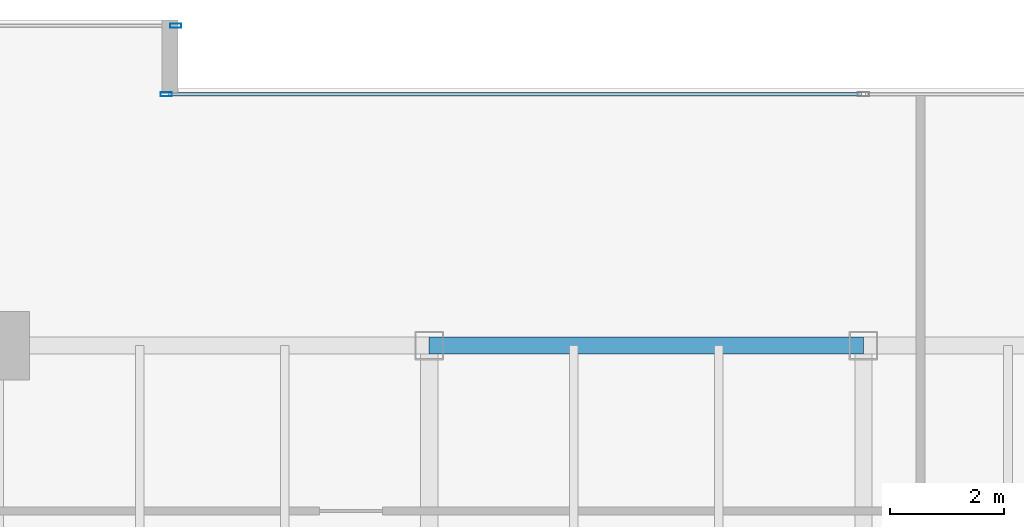
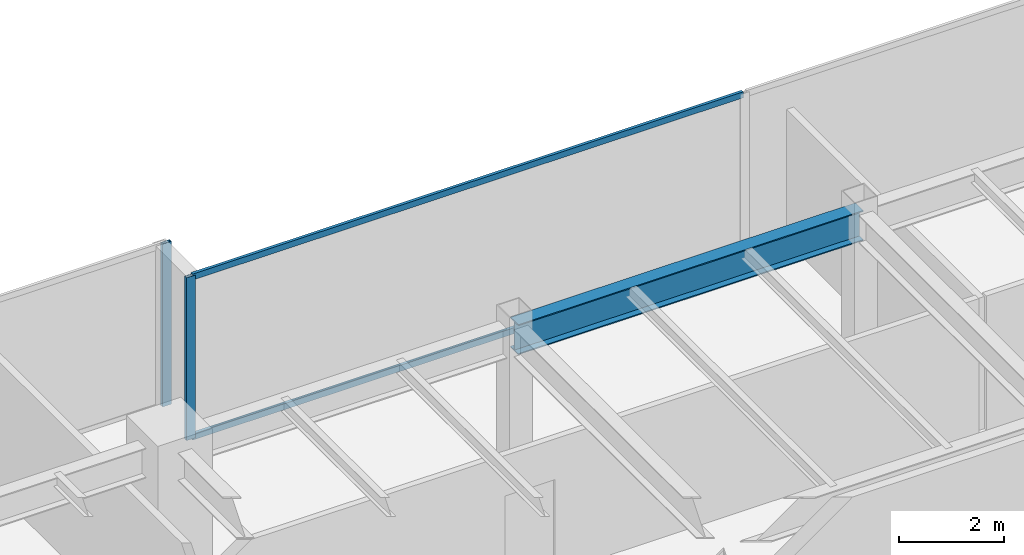
# One storey, part 16 of 30: 4 members, 1 beam, 2 elements without a shape of their own.
"""IFC4 building model written with IfcOpenShell, lengths in metres."""

from ifc_helpers import new_model, si_unit, direction, frame, origin, origin_2d, place, context, subcontext, project, spatial, hollow_rectangle, i_section, extrude, source, transform, mapped, material, layer, layer_set, material_profile, profile_set, type_object, type_shapes, element, aggregate, save


model = new_model("IFC4")

# Units and contexts
model_context = context("Model", 3, precision=1e-05, world=origin(), true_north=direction((0.0, 1.0)))
body_context = subcontext(model_context, "Body", "Model", "MODEL_VIEW")
ifc_project = project(units=[si_unit("LENGTHUNIT", "METRE"), si_unit("AREAUNIT", "SQUARE_METRE"), si_unit("VOLUMEUNIT", "CUBIC_METRE"), si_unit("PLANEANGLEUNIT", "RADIAN"), si_unit("MASSUNIT", "GRAM", prefix="KILO")], contexts=[model_context])

# Site, building, storey
site_placement = place(None, origin())
site = spatial("IfcSite", under=ifc_project, at=site_placement, CompositionType="ELEMENT")
building_placement = place(site_placement, origin())
building = spatial("IfcBuilding", under=site, at=building_placement, Name="Haelvirn Gate Laboratories", CompositionType="ELEMENT")
storey_placement = place(building_placement, frame((0.0, 0.0, 105.10009765625)))
storey = spatial("IfcBuildingStorey", under=building, at=storey_placement, Name="L25", CompositionType="ELEMENT", Elevation=105.10009765625)

# Beam
ifc_material_1 = material(Name="Steel SM355", Category="steel")
ifc_material_profile_1 = material_profile(ifc_material_1, i_section(OverallWidth=0.300048828125, OverallDepth=0.699951171875, WebThickness=0.012939453125, FlangeThickness=0.02392578125, at=origin_2d()), Name="H-700x300x13x24")
ifc_profile_set_1 = profile_set([ifc_material_profile_1], Name="Steel SM355")
beam_type = type_object("IfcBeamType", Name="BM-G-700", PredefinedType="BEAM", material=ifc_profile_set_1)
shared_shape_1 = source(origin(), body_context, "Body", "SweptSolid", [
    extrude(i_section(OverallWidth=0.300048828125, OverallDepth=0.699951171875, WebThickness=0.012939453125, FlangeThickness=0.02392578125, at=origin_2d()), origin(), (0.0, 0.0, 1.0), 7.599853515625),
])
type_shapes(beam_type, [shared_shape_1])
beam_placement = place(storey_placement, frame((29.800048828125, 41.60009765625, 3.43994140625), z_axis=(1.0, 0.0, 0.0), x_axis=(0.0, 1.0, 0.0)))
element("IfcBeam", 1, at=beam_placement, inside=storey, type_object=beam_type, Name="L25 Primary Girder Y41.6 (29.8-37.4)", PredefinedType="BEAM", context=body_context, shape_type="MappedRepresentation", body=[
    mapped(shared_shape_1, transform((0.0, 0.0, 0.0), scale=1.0)),
])

# Curtain wall, members
ifc_material_2 = material(Name="Anodised bronze unitised aluminium & triple low-E glass", Category="aluminium")
ifc_layer = layer(ifc_material_2, 0.179931640625, Name="CW-SYS-3")
ifc_layer_set = layer_set([ifc_layer], Name="Anodised bronze unitised aluminium & triple low-E glass")
curtain_wall_type = type_object("IfcCurtainWallType", Name="CW-SYS-3", PredefinedType="NOTDEFINED", material=ifc_layer_set)
curtain_wall_1_placement = place(storey_placement, origin())
curtain_wall_1 = element("IfcCurtainWall", 2, at=curtain_wall_1_placement, inside=storey, type_object=curtain_wall_type, Name="L25 Unitised Curtain Wall CW-L25-P0-E12-1", PredefinedType="NOTDEFINED")
ifc_material_3 = material(Name="Extruded aluminium 6063-T6 (anodised bronze)", Category="aluminium")
ifc_material_profile_2 = material_profile(ifc_material_3, hollow_rectangle(XDim=0.06494140625, YDim=0.139892578125, WallThickness=0.00390625, at=origin_2d()), Name="CWT-140x65x4")
ifc_profile_set_2 = profile_set([ifc_material_profile_2], Name="Extruded aluminium 6063-T6 (anodised bronze)")
member_type_1 = type_object("IfcMemberType", Name="CWT-T140", PredefinedType="USERDEFINED", material=ifc_profile_set_2)
shared_shape_2 = source(origin(), body_context, "Body", "SweptSolid", [
    extrude(hollow_rectangle(XDim=0.06494140625, YDim=0.139892578125, WallThickness=0.00390625, at=origin_2d()), origin(), (0.0, 0.0, 1.0), 12.12744140625),
])
type_shapes(member_type_1, [shared_shape_2])
member_1_placement = place(storey_placement, frame((25.235107421875, 46.0, 0.032470703125), z_axis=(1.0, 0.0, 0.0), x_axis=(0.0, 1.0, 0.0)))
member_1 = element("IfcMember", 3, at=member_1_placement, type_object=member_type_1, Name="CW3 transom 1.1", ObjectType="TRANSOM", PredefinedType="USERDEFINED", context=body_context, shape_type="MappedRepresentation", body=[
    mapped(shared_shape_2, transform((0.0, 0.0, 0.0), scale=1.0)),
])
member_2_placement = place(storey_placement, frame((25.235107421875, 46.0, 3.75732421875), z_axis=(1.0, 0.0, 0.0), x_axis=(0.0, 1.0, 0.0)))
member_2 = element("IfcMember", 4, at=member_2_placement, type_object=member_type_1, Name="CW3 transom 1.2", ObjectType="TRANSOM", PredefinedType="USERDEFINED", context=body_context, shape_type="MappedRepresentation", body=[
    mapped(shared_shape_2, transform((0.0, 0.0, 0.0), scale=1.0)),
])
ifc_material_profile_3 = material_profile(ifc_material_3, hollow_rectangle(XDim=0.074951171875, YDim=0.199951171875, WallThickness=0.0048828125, at=origin_2d()), Name="CWM-200x75x5")
ifc_profile_set_3 = profile_set([ifc_material_profile_3], Name="Extruded aluminium 6063-T6 (anodised bronze)")
member_type_2 = type_object("IfcMemberType", Name="CWM-T200", PredefinedType="MULLION", material=ifc_profile_set_3)
shared_shape_3 = source(origin(), body_context, "Body", "SweptSolid", [
    extrude(hollow_rectangle(XDim=0.074951171875, YDim=0.199951171875, WallThickness=0.0048828125, at=origin_2d()), origin(), (0.0, 0.0, 1.0), 3.789794921875),
])
type_shapes(member_type_2, [shared_shape_3])
member_3_placement = place(storey_placement, frame((25.197509765625, 46.0, 0.0), z_axis=(0.0, 0.0, 1.0), x_axis=(0.0, 1.0, 0.0)))
member_3 = element("IfcMember", 5, at=member_3_placement, type_object=member_type_2, Name="CW3 mullion 1", PredefinedType="MULLION", context=body_context, shape_type="MappedRepresentation", body=[
    mapped(shared_shape_3, transform((0.0, 0.0, 0.0), scale=1.0)),
])
aggregate(curtain_wall_1, [member_3, member_1, member_2])

# Curtain wall, member
curtain_wall_2_placement = place(storey_placement, origin())
curtain_wall_2 = element("IfcCurtainWall", 6, at=curtain_wall_2_placement, inside=storey, type_object=curtain_wall_type, Name="L25 Unitised Curtain Wall CW-L25-P0-E14-1", PredefinedType="NOTDEFINED")
member_4_placement = place(storey_placement, frame((25.362548828125, 47.199951171875, 0.0), z_axis=(0.0, 0.0, 1.0), x_axis=(0.0, 1.0, 0.0)))
member_4 = element("IfcMember", 7, at=member_4_placement, type_object=member_type_2, Name="CW3 mullion 3", PredefinedType="MULLION", context=body_context, shape_type="MappedRepresentation", body=[
    mapped(shared_shape_3, transform((0.0, 0.0, 0.0), scale=1.0)),
])
aggregate(curtain_wall_2, [member_4])

save(model, "model.ifc")
